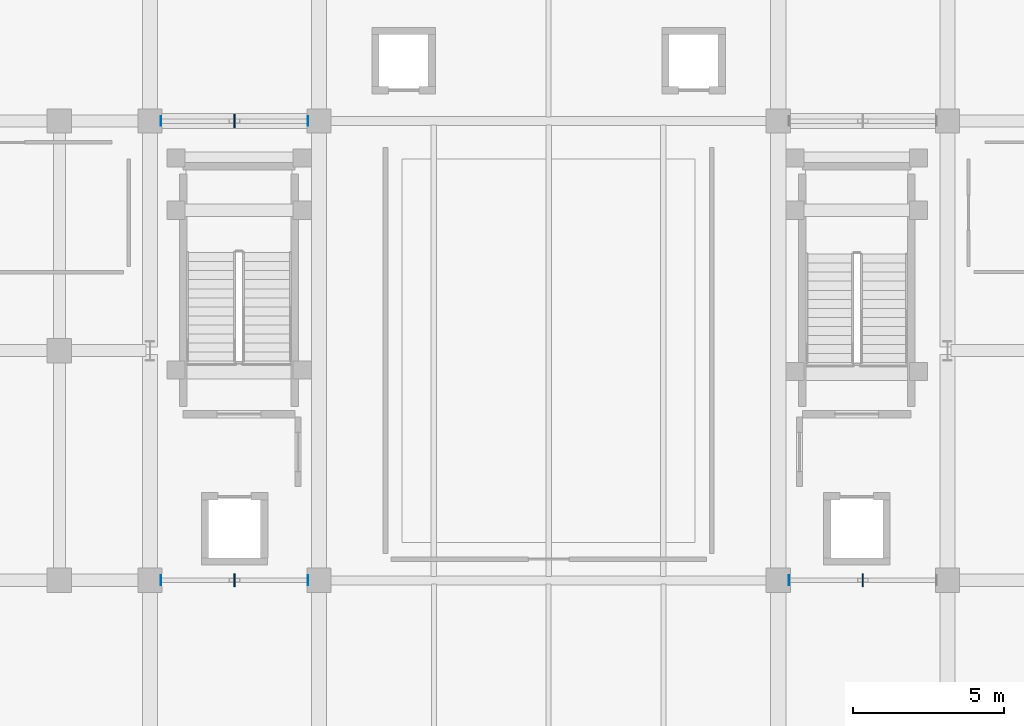
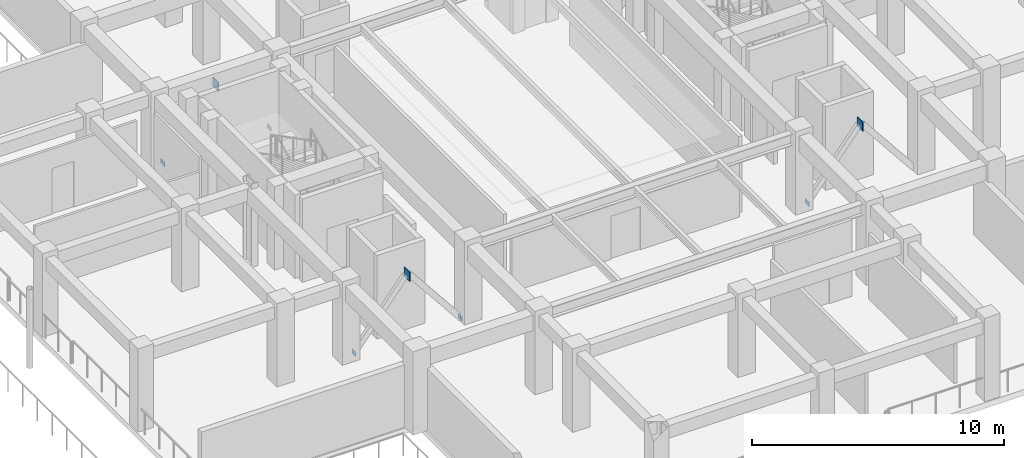
# One storey, part 51 of 83: 8 plates.
"""IFC4 building model written with IfcOpenShell, lengths in metres."""

from ifc_helpers import new_model, si_unit, direction, frame, origin, origin_2d, place, context, subcontext, project, spatial, rectangle, extrude, material, layer, layer_set, type_object, element, save


model = new_model("IFC4")

# Units and contexts
model_context = context("Model", 3, precision=1e-05, world=origin(), true_north=direction((0.0, 1.0)))
body_context = subcontext(model_context, "Body", "Model", "MODEL_VIEW")
ifc_project = project(units=[si_unit("LENGTHUNIT", "METRE"), si_unit("AREAUNIT", "SQUARE_METRE"), si_unit("VOLUMEUNIT", "CUBIC_METRE"), si_unit("PLANEANGLEUNIT", "RADIAN"), si_unit("MASSUNIT", "GRAM", prefix="KILO")], contexts=[model_context])

# Site, building, storey
site_placement = place(None, origin())
site = spatial("IfcSite", under=ifc_project, at=site_placement, CompositionType="ELEMENT")
building_placement = place(site_placement, origin())
building = spatial("IfcBuilding", under=site, at=building_placement, Name="Saryqyr Civic Hall", CompositionType="ELEMENT")
storey_placement = place(building_placement, frame((0.0, 0.0, 9.14990234375)))
storey = spatial("IfcBuildingStorey", under=building, at=storey_placement, Name="L02", CompositionType="ELEMENT", Elevation=9.14990234375)

# Plates
ifc_material = material(Name="Steel S355", Category="steel")
ifc_layer_1 = layer(ifc_material, 0.01611328125, Name="Steel S355")
ifc_layer_set_1 = layer_set([ifc_layer_1], Name="Steel S355")
plate_type_1 = type_object("IfcPlateType", Name="STR-PLT-CAP16", PredefinedType="USERDEFINED", material=ifc_layer_set_1)
for number, where, z_axis, x_axis, name in (
    (1, (44.159912109375, 76.39990234375, 0.01025390625), (0.0, 0.0, 1.0), (1.0, 0.0, 0.0), "Hollow section end cap V1-BRCAP-1A0-L02"),
    (2, (49.0400390625, 76.39990234375, 0.01025390625), (0.0, 0.0, 1.0), (1.0, 0.0, 0.0), "Hollow section end cap V1-BRCAP-1B0-L02"),
    (3, (64.9599609375, 76.39990234375, 0.01025390625), (0.0, 0.0, 1.0), (1.0, 0.0, 0.0), "Hollow section end cap V1-BRCAP-2A0-L02"),
    (4, (44.159912109375, 91.60009765625, 0.01025390625), (0.0, 0.0, 1.0), (1.0, 0.0, 0.0), "Hollow section end cap V1-BRCAP-3A0-L02"),
    (5, (49.0400390625, 91.60009765625, 0.01025390625), (0.0, 0.0, 1.0), (1.0, 0.0, 0.0), "Hollow section end cap V1-BRCAP-3B0-L02"),
):
    element("IfcPlate", number, at=place(storey_placement, frame(where, z_axis=z_axis, x_axis=x_axis)), inside=storey, type_object=plate_type_1, Name=name, ObjectType="FLANGE_PLATE", PredefinedType="USERDEFINED", context=body_context, shape_type="SweptSolid", body=[
        extrude(rectangle(XDim=0.01611328125, YDim=0.320068359375, at=origin_2d()), origin(), (0.0, 0.0, 1.0), 0.219970703125),
    ])
ifc_layer_2 = layer(ifc_material, 0.0400390625, Name="Steel S355")
ifc_layer_set_2 = layer_set([ifc_layer_2], Name="Steel S355")
plate_type_2 = type_object("IfcPlateType", Name="STR-PLT-GUS40", PredefinedType="USERDEFINED", material=ifc_layer_set_2)
for number, where, z_axis, x_axis, name in (
    (6, (46.60009765625, 76.39990234375, 2.85009765625), (0.0, 0.0, 1.0), (1.0, 0.0, 0.0), "Hollow section end cap V1-BRGUS-1-L02"),
    (7, (67.39990234375, 76.39990234375, 2.85009765625), (0.0, 0.0, 1.0), (1.0, 0.0, 0.0), "Hollow section end cap V1-BRGUS-2-L02"),
    (8, (46.60009765625, 91.60009765625, 2.85009765625), (0.0, 0.0, 1.0), (1.0, 0.0, 0.0), "Hollow section end cap V1-BRGUS-3-L02"),
):
    element("IfcPlate", number, at=place(storey_placement, frame(where, z_axis=z_axis, x_axis=x_axis)), inside=storey, type_object=plate_type_2, Name=name, ObjectType="FLANGE_PLATE", PredefinedType="USERDEFINED", context=body_context, shape_type="SweptSolid", body=[
        extrude(rectangle(XDim=0.0400390625, YDim=0.43994140625, at=origin_2d()), origin(), (0.0, 0.0, 1.0), 0.43994140625),
    ])

save(model, "model.ifc")
